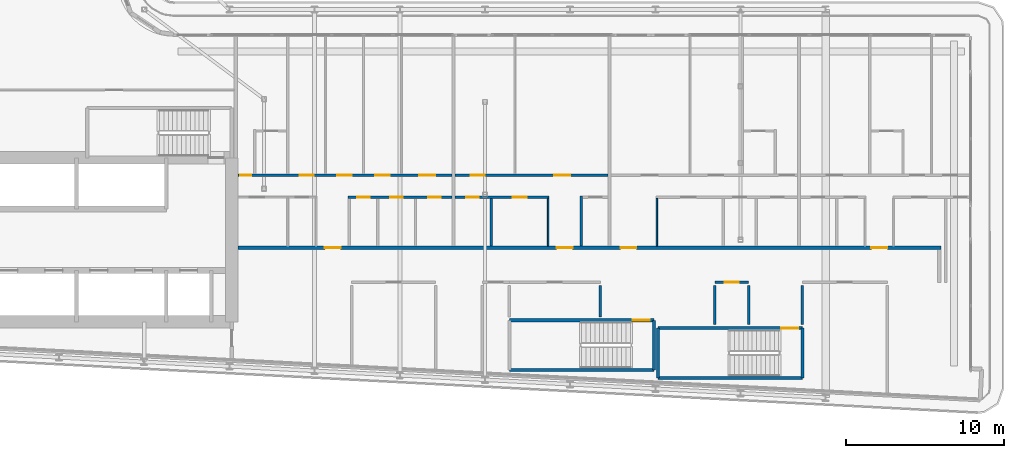
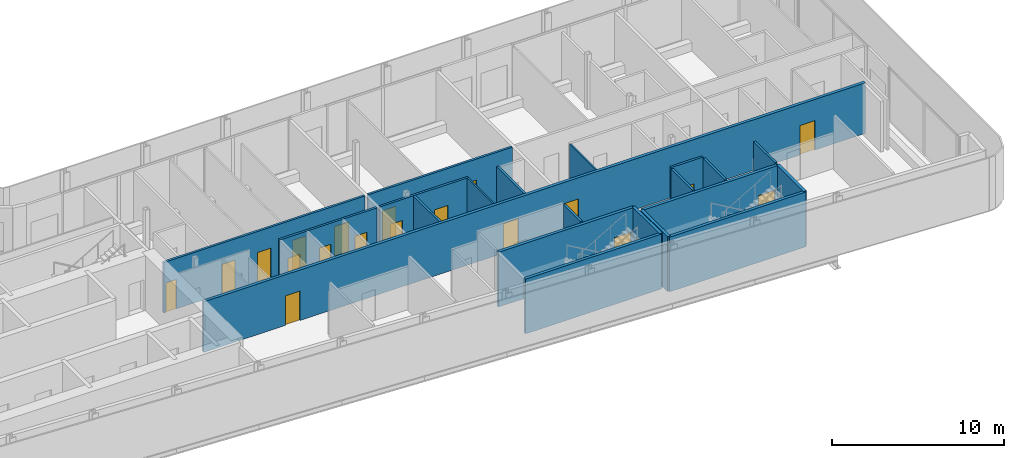
# One storey, part 18 of 30: 21 walls, 19 doors, 19 openings.
"""IFC4 building model written with IfcOpenShell, lengths in metres."""

from ifc_helpers import new_model, si_unit, direction, frame, frame_2d, origin, place, context, subcontext, project, spatial, rectangle, extrude, source, transform, mapped, material, layer, layer_set, type_object, element, fill, save


model = new_model("IFC4")

# Units and contexts
model_context = context("Model", 3, precision=1e-05, world=origin(), true_north=direction((0.0, 1.0)))
body_context = subcontext(model_context, "Body", "Model", "MODEL_VIEW")
ifc_project = project(units=[si_unit("LENGTHUNIT", "METRE"), si_unit("AREAUNIT", "SQUARE_METRE"), si_unit("VOLUMEUNIT", "CUBIC_METRE"), si_unit("PLANEANGLEUNIT", "RADIAN"), si_unit("MASSUNIT", "GRAM", prefix="KILO")], contexts=[model_context])

# Site, building, storey
site_placement = place(None, origin())
site = spatial("IfcSite", under=ifc_project, at=site_placement, CompositionType="ELEMENT")
building_placement = place(site_placement, origin())
building = spatial("IfcBuilding", under=site, at=building_placement, Name="Kheshtan School and Residences Tower", CompositionType="ELEMENT")
storey_placement = place(building_placement, frame((0.0, 0.0, 199.39990234375)))
storey = spatial("IfcBuildingStorey", under=building, at=storey_placement, Name="L47", CompositionType="ELEMENT", Elevation=199.39990234375)

# Wall, openings, doors
ifc_material_1 = material(Name="Gypsum board on steel studs with fire boards", Category="steel")
ifc_layer_1 = layer(ifc_material_1, 0.199951171875)
ifc_layer_set_1 = layer_set([ifc_layer_1], Name="Corridor wall 200")
wall_type_1 = type_object("IfcWallType", Name="Corridor wall 200", PredefinedType="PARTITIONING", material=ifc_layer_set_1)
wall_1_placement = place(storey_placement, frame((53.549072265625, 30.5, 0.0), z_axis=(0.0, 0.0, 1.0), x_axis=(1.0, 0.0, 0.0)))
wall_1 = element("IfcWall", 1, at=wall_1_placement, inside=storey, type_object=wall_type_1, Name="Partition L47-034", PredefinedType="PARTITIONING", context=body_context, shape_type="SweptSolid", body=[
    extrude(rectangle(XDim=44.551025390625, YDim=0.199951171875, at=frame_2d((22.275390625, 0.0))), origin(), (0.0, 0.0, 1.0), 3.60009765625),
])
opening_1_placement = place(wall_1_placement, frame((5.5009765625, 0.0, 0.0)))
opening_1 = element("IfcOpeningElement", 2, at=opening_1_placement, cuts=wall_1, Name="Opening D46-006", PredefinedType="OPENING", context=body_context, shape_type="SweptSolid", body=[
    extrude(rectangle(XDim=1.0, YDim=2.10009765625, at=frame_2d((0.5, 1.050048828125))), frame((0.0, 0.10986328125, 0.0), z_axis=(0.0, -1.0, 0.0), x_axis=(1.0, 0.0, 0.0)), (0.0, 0.0, 1.0), 0.219970703125),
])
opening_2_placement = place(wall_1_placement, frame((20.200927734375, 0.0, 0.0)))
opening_2 = element("IfcOpeningElement", 3, at=opening_2_placement, cuts=wall_1, Name="Opening D46-015", PredefinedType="OPENING", context=body_context, shape_type="SweptSolid", body=[
    extrude(rectangle(XDim=1.0, YDim=2.10009765625, at=frame_2d((0.5, 1.050048828125))), frame((0.0, 0.10986328125, 0.0), z_axis=(0.0, -1.0, 0.0), x_axis=(1.0, 0.0, 0.0)), (0.0, 0.0, 1.0), 0.219970703125),
])
opening_3_placement = place(wall_1_placement, frame((24.2509765625, 0.0, 0.0)))
opening_3 = element("IfcOpeningElement", 4, at=opening_3_placement, cuts=wall_1, Name="Opening D46-022", PredefinedType="OPENING", context=body_context, shape_type="SweptSolid", body=[
    extrude(rectangle(XDim=1.0, YDim=2.10009765625, at=frame_2d((0.5, 1.050048828125))), frame((0.0, 0.10986328125, 0.0), z_axis=(0.0, -1.0, 0.0), x_axis=(1.0, 0.0, 0.0)), (0.0, 0.0, 1.0), 0.219970703125),
])
opening_4_placement = place(wall_1_placement, frame((40.15087890625, 0.0, 0.0)))
opening_4 = element("IfcOpeningElement", 5, at=opening_4_placement, cuts=wall_1, Name="Opening D46-030", PredefinedType="OPENING", context=body_context, shape_type="SweptSolid", body=[
    extrude(rectangle(XDim=1.0, YDim=2.10009765625, at=frame_2d((0.5, 1.050048828125))), frame((0.0, 0.10986328125, 0.0), z_axis=(0.0, -1.0, 0.0), x_axis=(1.0, 0.0, 0.0)), (0.0, 0.0, 1.0), 0.219970703125),
])
ifc_material_2 = material(Name="Steel-framed fire-resisting door leaf", Category="steel")
door_type_1 = type_object("IfcDoorType", Name="Fire door FD30S 1000 x 2100", OperationType="SINGLE_SWING_LEFT", PredefinedType="DOOR", material=ifc_material_2)
shared_shape_1 = source(origin(), body_context, "Body", "SweptSolid", [
    extrude(rectangle(XDim=1.0, YDim=2.10009765625, at=frame_2d((0.5, 1.050048828125))), frame((0.0, 0.02490234375, 0.0), z_axis=(0.0, -1.0, 0.0), x_axis=(1.0, 0.0, 0.0)), (0.0, 0.0, 1.0), 0.050048828125),
])
door_1_placement = place(opening_1_placement, origin())
door_1 = element("IfcDoor", 6, at=door_1_placement, inside=storey, type_object=door_type_1, Name="Door D46-006", OperationType="SINGLE_SWING_LEFT", OverallHeight=2.10009765625, OverallWidth=1.0, PredefinedType="DOOR", context=body_context, shape_type="MappedRepresentation", body=[
    mapped(shared_shape_1, transform((0.0, 0.0, 0.0), x_axis=(1.0, 0.0, 0.0), y_axis=(0.0, 1.0, 0.0), z_axis=(0.0, 0.0, 1.0), scale=1.0)),
])
fill(opening_1, door_1)
door_2_placement = place(opening_2_placement, origin())
door_2 = element("IfcDoor", 7, at=door_2_placement, inside=storey, type_object=door_type_1, Name="Door D46-015", OperationType="SINGLE_SWING_RIGHT", OverallHeight=2.10009765625, OverallWidth=1.0, PredefinedType="DOOR", context=body_context, shape_type="MappedRepresentation", body=[
    mapped(shared_shape_1, transform((0.0, 0.0, 0.0), x_axis=(1.0, 0.0, 0.0), y_axis=(0.0, 1.0, 0.0), z_axis=(0.0, 0.0, 1.0), scale=1.0)),
])
fill(opening_2, door_2)
door_3_placement = place(opening_3_placement, origin())
door_3 = element("IfcDoor", 8, at=door_3_placement, inside=storey, type_object=door_type_1, Name="Door D46-022", OperationType="SINGLE_SWING_LEFT", OverallHeight=2.10009765625, OverallWidth=1.0, PredefinedType="DOOR", context=body_context, shape_type="MappedRepresentation", body=[
    mapped(shared_shape_1, transform((0.0, 0.0, 0.0), x_axis=(1.0, 0.0, 0.0), y_axis=(0.0, 1.0, 0.0), z_axis=(0.0, 0.0, 1.0), scale=1.0)),
])
fill(opening_3, door_3)
door_4_placement = place(opening_4_placement, origin())
door_4 = element("IfcDoor", 9, at=door_4_placement, inside=storey, type_object=door_type_1, Name="Door D46-030", OperationType="SINGLE_SWING_RIGHT", OverallHeight=2.10009765625, OverallWidth=1.0, PredefinedType="DOOR", context=body_context, shape_type="MappedRepresentation", body=[
    mapped(shared_shape_1, transform((0.0, 0.0, 0.0), x_axis=(1.0, 0.0, 0.0), y_axis=(0.0, 1.0, 0.0), z_axis=(0.0, 0.0, 1.0), scale=1.0)),
])
fill(opening_4, door_4)

# Walls
ifc_material_3 = material(Name="Gypsum board on steel studs", Category="steel")
ifc_layer_2 = layer(ifc_material_3, 0.10009765625)
ifc_layer_set_2 = layer_set([ifc_layer_2], Name="Gypsum partition 100")
wall_type_2 = type_object("IfcWallType", Name="Gypsum partition 100", PredefinedType="PARTITIONING", material=ifc_layer_set_2)
for number, where, z_axis, x_axis, name in (
    (10, (73.199951171875, 30.60009765625, 0.0), (0.0, 0.0, 1.0), (0.0, 1.0, 0.0), "Partition L47-054"),
    (11, (80.10009765625, 30.60009765625, 0.0), (0.0, 0.0, 1.0), (0.0, 1.0, 0.0), "Partition L47-060"),
):
    element("IfcWall", number, at=place(storey_placement, frame(where, z_axis=z_axis, x_axis=x_axis)), inside=storey, type_object=wall_type_2, Name=name, PredefinedType="PARTITIONING", context=body_context, shape_type="SweptSolid", body=[
        extrude(rectangle(XDim=3.02490234375, YDim=0.10009765625, at=frame_2d((1.512451171875, 0.0))), origin(), (0.0, 0.0, 1.0), 3.60009765625),
    ])
ifc_material_4 = material(Name="Fire-board shaft wall system")
ifc_layer_3 = layer(ifc_material_4, 0.14990234375)
ifc_layer_set_3 = layer_set([ifc_layer_3], Name="Service room wall 150")
wall_type_3 = type_object("IfcWallType", Name="Service room wall 150", PredefinedType="PARTITIONING", material=ifc_layer_set_3)
wall_2_placement = place(storey_placement, frame((76.510009765625, 26.1201171875, 0.0), z_axis=(0.0, 0.0, 1.0), x_axis=(0.0, 1.0, 0.0)))
element("IfcWall", 12, at=wall_2_placement, inside=storey, type_object=wall_type_3, Name="Service room wall", PredefinedType="PARTITIONING", context=body_context, shape_type="SweptSolid", body=[
    extrude(rectangle(XDim=1.98486328125, YDim=0.14990234375, at=frame_2d((0.992431640625, 0.0))), origin(), (0.0, 0.0, 1.0), 3.900146484375),
])

# Wall, opening, door
wall_3_placement = place(storey_placement, frame((83.77490234375, 28.300048828125, 0.0), z_axis=(0.0, 0.0, 1.0), x_axis=(1.0, 0.0, 0.0)))
wall_3 = element("IfcWall", 13, at=wall_3_placement, inside=storey, type_object=wall_type_3, Name="Service room wall", PredefinedType="PARTITIONING", context=body_context, shape_type="SweptSolid", body=[
    extrude(rectangle(XDim=2.14501953125, YDim=0.14990234375, at=frame_2d((1.072509765625, 0.0))), origin(), (0.0, 0.0, 1.0), 3.900146484375),
])
opening_5_placement = place(wall_3_placement, frame((0.623046875, 0.0, 0.0)))
opening_5 = element("IfcOpeningElement", 14, at=opening_5_placement, cuts=wall_3, Name="Opening SR90", PredefinedType="OPENING", context=body_context, shape_type="SweptSolid", body=[
    extrude(rectangle(XDim=0.89990234375, YDim=2.199951171875, at=frame_2d((0.449951171875, 1.10009765625))), frame((0.0, 0.0849609375, 0.0), z_axis=(0.0, -1.0, 0.0), x_axis=(1.0, 0.0, 0.0)), (0.0, 0.0, 1.0), 0.169921875),
])
ifc_material_5 = material(Name="Steel door leaf, galvanised", Category="steel")
door_type_2 = type_object("IfcDoorType", Name="Service room door 900 steel 90 min", OperationType="SINGLE_SWING_LEFT", PredefinedType="DOOR", material=ifc_material_5)
shared_shape_2 = source(origin(), body_context, "Body", "SweptSolid", [
    extrude(rectangle(XDim=0.89990234375, YDim=2.199951171875, at=frame_2d((0.449951171875, 1.10009765625))), frame((0.0, 0.02490234375, 0.0), z_axis=(0.0, -1.0, 0.0), x_axis=(1.0, 0.0, 0.0)), (0.0, 0.0, 1.0), 0.050048828125),
])
door_5_placement = place(opening_5_placement, origin())
door_5 = element("IfcDoor", 15, at=door_5_placement, inside=storey, type_object=door_type_2, Name="Service room door", OperationType="SINGLE_SWING_LEFT", OverallHeight=2.199951171875, OverallWidth=0.89990234375, PredefinedType="DOOR", context=body_context, shape_type="MappedRepresentation", body=[
    mapped(shared_shape_2, transform((0.0, 0.0, 0.0), x_axis=(1.0, 0.0, 0.0), y_axis=(0.0, 1.0, 0.0), z_axis=(0.0, 0.0, 1.0), scale=1.0)),
])
fill(opening_5, door_5)

# Walls
for number, where, z_axis, x_axis, name in (
    (16, (83.77490234375, 25.6201171875, 0.0), (0.0, 0.0, 1.0), (0.0, 1.0, 0.0), "Service room wall"),
    (17, (85.919921875, 25.6201171875, 0.0), (0.0, 0.0, 1.0), (0.0, 1.0, 0.0), "Service room wall"),
    (18, (89.320068359375, 25.6201171875, 0.0), (0.0, 0.0, 1.0), (0.0, 1.0, 0.0), "Service room wall"),
):
    element("IfcWall", number, at=place(storey_placement, frame(where, z_axis=z_axis, x_axis=x_axis)), inside=storey, type_object=wall_type_3, Name=name, PredefinedType="PARTITIONING", context=body_context, shape_type="SweptSolid", body=[
        extrude(rectangle(XDim=2.48486328125, YDim=0.14990234375, at=frame_2d((1.242431640625, 0.0))), origin(), (0.0, 0.0, 1.0), 3.900146484375),
    ])
ifc_material_6 = material(Name="Concrete C40/50", Category="concrete")
ifc_layer_4 = layer(ifc_material_6, 0.199951171875)
ifc_layer_set_4 = layer_set([ifc_layer_4], Name="Stair enclosure wall 200 Concrete C40/50")
wall_type_4 = type_object("IfcWallType", Name="Stair enclosure wall 200 Concrete C40/50", PredefinedType="SHEAR", material=ifc_layer_set_4)
wall_4_placement = place(storey_placement, frame((80.159912109375, 22.25, 0.0), z_axis=(0.0, 0.0, 1.0), x_axis=(1.0, 0.0, 0.0)))
element("IfcWall", 19, at=wall_4_placement, inside=storey, type_object=wall_type_4, Name="Stair enclosure wall ST4", PredefinedType="SHEAR", context=body_context, shape_type="SweptSolid", body=[
    extrude(rectangle(XDim=9.16015625, YDim=0.199951171875, at=frame_2d((4.580078125, 0.0))), origin(), (0.0, 0.0, 1.0), 3.900146484375),
])

# Wall, opening, door
wall_5_placement = place(storey_placement, frame((80.159912109375, 25.39990234375, 0.0), z_axis=(0.0, 0.0, 1.0), x_axis=(1.0, 0.0, 0.0)))
wall_5 = element("IfcWall", 20, at=wall_5_placement, inside=storey, type_object=wall_type_4, Name="Stair enclosure wall ST4", PredefinedType="SHEAR", context=body_context, shape_type="SweptSolid", body=[
    extrude(rectangle(XDim=9.16015625, YDim=0.199951171875, at=frame_2d((4.580078125, 0.0))), origin(), (0.0, 0.0, 1.0), 3.900146484375),
])
opening_6_placement = place(wall_5_placement, frame((7.81005859375, 0.0, 0.0)))
opening_6 = element("IfcOpeningElement", 21, at=opening_6_placement, cuts=wall_5, Name="Opening ST4D", PredefinedType="OPENING", context=body_context, shape_type="SweptSolid", body=[
    extrude(rectangle(XDim=1.10009765625, YDim=2.199951171875, at=frame_2d((0.550048828125, 1.10009765625))), frame((0.0, 0.10986328125, 0.0), z_axis=(0.0, -1.0, 0.0), x_axis=(1.0, 0.0, 0.0)), (0.0, 0.0, 1.0), 0.219970703125),
])
door_type_3 = type_object("IfcDoorType", Name="Stair door 1100 steel 90 min", OperationType="SINGLE_SWING_LEFT", PredefinedType="DOOR", material=ifc_material_5)
shared_shape_3 = source(origin(), body_context, "Body", "SweptSolid", [
    extrude(rectangle(XDim=1.10009765625, YDim=2.199951171875, at=frame_2d((0.550048828125, 1.10009765625))), frame((0.0, 0.02490234375, 0.0), z_axis=(0.0, -1.0, 0.0), x_axis=(1.0, 0.0, 0.0)), (0.0, 0.0, 1.0), 0.050048828125),
])
door_6_placement = place(opening_6_placement, origin())
door_6 = element("IfcDoor", 22, at=door_6_placement, inside=storey, type_object=door_type_3, Name="Stair ST4 door", OperationType="SINGLE_SWING_LEFT", OverallHeight=2.199951171875, OverallWidth=1.10009765625, PredefinedType="DOOR", context=body_context, shape_type="MappedRepresentation", body=[
    mapped(shared_shape_3, transform((0.0, 0.0, 0.0), x_axis=(1.0, 0.0, 0.0), y_axis=(0.0, 1.0, 0.0), z_axis=(0.0, 0.0, 1.0), scale=1.0)),
])
fill(opening_6, door_6)

# Walls
for number, where, z_axis, x_axis, name in (
    (23, (80.159912109375, 22.25, 0.0), (0.0, 0.0, 1.0), (0.0, 1.0, 0.0), "Stair enclosure wall ST4"),
    (24, (89.320068359375, 22.25, 0.0), (0.0, 0.0, 1.0), (0.0, 1.0, 0.0), "Stair enclosure wall ST4"),
):
    element("IfcWall", number, at=place(storey_placement, frame(where, z_axis=z_axis, x_axis=x_axis)), inside=storey, type_object=wall_type_4, Name=name, PredefinedType="SHEAR", context=body_context, shape_type="SweptSolid", body=[
        extrude(rectangle(XDim=3.14990234375, YDim=0.199951171875, at=frame_2d((1.574951171875, 0.0))), origin(), (0.0, 0.0, 1.0), 3.900146484375),
    ])
wall_6_placement = place(storey_placement, frame((70.75, 22.75, 0.0), z_axis=(0.0, 0.0, 1.0), x_axis=(1.0, 0.0, 0.0)))
element("IfcWall", 25, at=wall_6_placement, inside=storey, type_object=wall_type_4, Name="Stair enclosure wall ST5", PredefinedType="SHEAR", context=body_context, shape_type="SweptSolid", body=[
    extrude(rectangle(XDim=9.159912109375, YDim=0.199951171875, at=frame_2d((4.580078125, 0.0))), origin(), (0.0, 0.0, 1.0), 3.900146484375),
])

# Wall, opening, door
wall_7_placement = place(storey_placement, frame((70.75, 25.89990234375, 0.0), z_axis=(0.0, 0.0, 1.0), x_axis=(1.0, 0.0, 0.0)))
wall_7 = element("IfcWall", 26, at=wall_7_placement, inside=storey, type_object=wall_type_4, Name="Stair enclosure wall ST5", PredefinedType="SHEAR", context=body_context, shape_type="SweptSolid", body=[
    extrude(rectangle(XDim=9.159912109375, YDim=0.199951171875, at=frame_2d((4.580078125, 0.0))), origin(), (0.0, 0.0, 1.0), 3.900146484375),
])
opening_7_placement = place(wall_7_placement, frame((7.81005859375, 0.0, 0.0)))
opening_7 = element("IfcOpeningElement", 27, at=opening_7_placement, cuts=wall_7, Name="Opening ST5D", PredefinedType="OPENING", context=body_context, shape_type="SweptSolid", body=[
    extrude(rectangle(XDim=1.10009765625, YDim=2.199951171875, at=frame_2d((0.550048828125, 1.10009765625))), frame((0.0, 0.10986328125, 0.0), z_axis=(0.0, -1.0, 0.0), x_axis=(1.0, 0.0, 0.0)), (0.0, 0.0, 1.0), 0.219970703125),
])
door_7_placement = place(opening_7_placement, origin())
door_7 = element("IfcDoor", 28, at=door_7_placement, inside=storey, type_object=door_type_3, Name="Stair ST5 door", OperationType="SINGLE_SWING_LEFT", OverallHeight=2.199951171875, OverallWidth=1.10009765625, PredefinedType="DOOR", context=body_context, shape_type="MappedRepresentation", body=[
    mapped(shared_shape_3, transform((0.0, 0.0, 0.0), x_axis=(1.0, 0.0, 0.0), y_axis=(0.0, 1.0, 0.0), z_axis=(0.0, 0.0, 1.0), scale=1.0)),
])
fill(opening_7, door_7)

# Wall
wall_8_placement = place(storey_placement, frame((79.909912109375, 22.75, 0.0), z_axis=(0.0, 0.0, 1.0), x_axis=(0.0, 1.0, 0.0)))
element("IfcWall", 29, at=wall_8_placement, inside=storey, type_object=wall_type_4, Name="Stair enclosure wall ST5", PredefinedType="SHEAR", context=body_context, shape_type="SweptSolid", body=[
    extrude(rectangle(XDim=3.14990234375, YDim=0.199951171875, at=frame_2d((1.574951171875, 0.0))), origin(), (0.0, 0.0, 1.0), 3.900146484375),
])

# Wall, openings, doors
ifc_material_7 = material(Name="Moisture-resistant gypsum board on steel studs", Category="steel")
ifc_layer_5 = layer(ifc_material_7, 0.14990234375)
ifc_layer_set_5 = layer_set([ifc_layer_5], Name="Wet-room partition 150")
wall_type_5 = type_object("IfcWallType", Name="Wet-room partition 150", PredefinedType="PARTITIONING", material=ifc_layer_set_5)
wall_9_placement = place(storey_placement, frame((53.549072265625, 35.10009765625, 0.0), z_axis=(0.0, 0.0, 1.0), x_axis=(1.0, 0.0, 0.0)))
wall_9 = element("IfcWall", 30, at=wall_9_placement, inside=storey, type_object=wall_type_5, Name="Partition L47-036", PredefinedType="PARTITIONING", context=body_context, shape_type="SweptSolid", body=[
    extrude(rectangle(XDim=13.551025390625, YDim=0.14990234375, at=frame_2d((6.775390625, 0.0))), origin(), (0.0, 0.0, 1.0), 3.60009765625),
])
opening_8_placement = place(wall_9_placement, frame((3.90087890625, 0.0, 0.0)))
opening_8 = element("IfcOpeningElement", 31, at=opening_8_placement, cuts=wall_9, Name="Opening D46-003", PredefinedType="OPENING", context=body_context, shape_type="SweptSolid", body=[
    extrude(rectangle(XDim=0.89990234375, YDim=2.10009765625, at=frame_2d((0.449951171875, 1.050048828125))), frame((0.0, 0.0849609375, 0.0), z_axis=(0.0, -1.0, 0.0), x_axis=(1.0, 0.0, 0.0)), (0.0, 0.0, 1.0), 0.169921875),
])
opening_9_placement = place(wall_9_placement, frame((8.700927734375, 0.0, 0.0)))
opening_9 = element("IfcOpeningElement", 32, at=opening_9_placement, cuts=wall_9, Name="Opening D46-004", PredefinedType="OPENING", context=body_context, shape_type="SweptSolid", body=[
    extrude(rectangle(XDim=0.89990234375, YDim=2.10009765625, at=frame_2d((0.449951171875, 1.050048828125))), frame((0.0, 0.0849609375, 0.0), z_axis=(0.0, -1.0, 0.0), x_axis=(1.0, 0.0, 0.0)), (0.0, 0.0, 1.0), 0.169921875),
])
opening_10_placement = place(wall_9_placement, frame((11.5009765625, 0.0, 0.0)))
opening_10 = element("IfcOpeningElement", 33, at=opening_10_placement, cuts=wall_9, Name="Opening D46-008", PredefinedType="OPENING", context=body_context, shape_type="SweptSolid", body=[
    extrude(rectangle(XDim=1.0, YDim=2.10009765625, at=frame_2d((0.5, 1.050048828125))), frame((0.0, 0.0849609375, 0.0), z_axis=(0.0, -1.0, 0.0), x_axis=(1.0, 0.0, 0.0)), (0.0, 0.0, 1.0), 0.169921875),
])
opening_11_placement = place(wall_9_placement, frame((6.301025390625, 0.0, 0.0)))
opening_11 = element("IfcOpeningElement", 34, at=opening_11_placement, cuts=wall_9, Name="Opening D46-009", PredefinedType="OPENING", context=body_context, shape_type="SweptSolid", body=[
    extrude(rectangle(XDim=0.89990234375, YDim=2.10009765625, at=frame_2d((0.449951171875, 1.050048828125))), frame((0.0, 0.0849609375, 0.0), z_axis=(0.0, -1.0, 0.0), x_axis=(1.0, 0.0, 0.0)), (0.0, 0.0, 1.0), 0.169921875),
])
opening_12_placement = place(wall_9_placement, frame((0.14990234375, 0.0, 0.0)))
opening_12 = element("IfcOpeningElement", 35, at=opening_12_placement, cuts=wall_9, Name="Opening D46-010", PredefinedType="OPENING", context=body_context, shape_type="SweptSolid", body=[
    extrude(rectangle(XDim=0.699951171875, YDim=2.10009765625, at=frame_2d((0.35009765625, 1.050048828125))), frame((0.0, 0.0849609375, 0.0), z_axis=(0.0, -1.0, 0.0), x_axis=(1.0, 0.0, 0.0)), (0.0, 0.0, 1.0), 0.169921875),
])
ifc_material_8 = material(Name="Veneered timber door leaf", Category="wood")
door_type_4 = type_object("IfcDoorType", Name="Door 1000 x 2100", OperationType="SINGLE_SWING_LEFT", PredefinedType="DOOR", material=ifc_material_8)
shared_shape_4 = source(origin(), body_context, "Body", "SweptSolid", [
    extrude(rectangle(XDim=1.0, YDim=2.10009765625, at=frame_2d((0.5, 1.050048828125))), frame((0.0, 0.02490234375, 0.0), z_axis=(0.0, -1.0, 0.0), x_axis=(1.0, 0.0, 0.0)), (0.0, 0.0, 1.0), 0.050048828125),
])
door_8_placement = place(opening_10_placement, origin())
door_8 = element("IfcDoor", 36, at=door_8_placement, inside=storey, type_object=door_type_4, Name="Door D46-008", OperationType="SINGLE_SWING_LEFT", OverallHeight=2.10009765625, OverallWidth=1.0, PredefinedType="DOOR", context=body_context, shape_type="MappedRepresentation", body=[
    mapped(shared_shape_4, transform((0.0, 0.0, 0.0), x_axis=(1.0, 0.0, 0.0), y_axis=(0.0, 1.0, 0.0), z_axis=(0.0, 0.0, 1.0), scale=1.0)),
])
fill(opening_10, door_8)
door_type_5 = type_object("IfcDoorType", Name="Door 900 x 2100", OperationType="SINGLE_SWING_LEFT", PredefinedType="DOOR", material=ifc_material_8)
shared_shape_5 = source(origin(), body_context, "Body", "SweptSolid", [
    extrude(rectangle(XDim=0.89990234375, YDim=2.10009765625, at=frame_2d((0.449951171875, 1.050048828125))), frame((0.0, 0.02490234375, 0.0), z_axis=(0.0, -1.0, 0.0), x_axis=(1.0, 0.0, 0.0)), (0.0, 0.0, 1.0), 0.050048828125),
])
door_9_placement = place(opening_8_placement, origin())
door_9 = element("IfcDoor", 37, at=door_9_placement, inside=storey, type_object=door_type_5, Name="Door D46-003", OperationType="SINGLE_SWING_LEFT", OverallHeight=2.10009765625, OverallWidth=0.89990234375, PredefinedType="DOOR", context=body_context, shape_type="MappedRepresentation", body=[
    mapped(shared_shape_5, transform((0.0, 0.0, 0.0), x_axis=(1.0, 0.0, 0.0), y_axis=(0.0, 1.0, 0.0), z_axis=(0.0, 0.0, 1.0), scale=1.0)),
])
fill(opening_8, door_9)
door_10_placement = place(opening_9_placement, origin())
door_10 = element("IfcDoor", 38, at=door_10_placement, inside=storey, type_object=door_type_5, Name="Door D46-004", OperationType="SINGLE_SWING_LEFT", OverallHeight=2.10009765625, OverallWidth=0.89990234375, PredefinedType="DOOR", context=body_context, shape_type="MappedRepresentation", body=[
    mapped(shared_shape_5, transform((0.0, 0.0, 0.0), x_axis=(1.0, 0.0, 0.0), y_axis=(0.0, 1.0, 0.0), z_axis=(0.0, 0.0, 1.0), scale=1.0)),
])
fill(opening_9, door_10)
door_11_placement = place(opening_11_placement, origin())
door_11 = element("IfcDoor", 39, at=door_11_placement, inside=storey, type_object=door_type_5, Name="Door D46-009", OperationType="SINGLE_SWING_LEFT", OverallHeight=2.10009765625, OverallWidth=0.89990234375, PredefinedType="DOOR", context=body_context, shape_type="MappedRepresentation", body=[
    mapped(shared_shape_5, transform((0.0, 0.0, 0.0), x_axis=(1.0, 0.0, 0.0), y_axis=(0.0, 1.0, 0.0), z_axis=(0.0, 0.0, 1.0), scale=1.0)),
])
fill(opening_11, door_11)
door_type_6 = type_object("IfcDoorType", Name="Door 700 x 2100", OperationType="SINGLE_SWING_LEFT", PredefinedType="DOOR", material=ifc_material_8)
shared_shape_6 = source(origin(), body_context, "Body", "SweptSolid", [
    extrude(rectangle(XDim=0.699951171875, YDim=2.10009765625, at=frame_2d((0.35009765625, 1.050048828125))), frame((0.0, 0.02490234375, 0.0), z_axis=(0.0, -1.0, 0.0), x_axis=(1.0, 0.0, 0.0)), (0.0, 0.0, 1.0), 0.050048828125),
])
door_12_placement = place(opening_12_placement, origin())
door_12 = element("IfcDoor", 40, at=door_12_placement, inside=storey, type_object=door_type_6, Name="Door D46-010", OperationType="SINGLE_SWING_RIGHT", OverallHeight=2.10009765625, OverallWidth=0.699951171875, PredefinedType="DOOR", context=body_context, shape_type="MappedRepresentation", body=[
    mapped(shared_shape_6, transform((0.0, 0.0, 0.0), x_axis=(1.0, 0.0, 0.0), y_axis=(0.0, 1.0, 0.0), z_axis=(0.0, 0.0, 1.0), scale=1.0)),
])
fill(opening_12, door_12)

wall_10_placement = place(storey_placement, frame((60.52490234375, 33.699951171875, 0.0), z_axis=(0.0, 0.0, 1.0), x_axis=(1.0, 0.0, 0.0)))
wall_10 = element("IfcWall", 41, at=wall_10_placement, inside=storey, type_object=wall_type_5, Name="Partition L47-043", PredefinedType="PARTITIONING", context=body_context, shape_type="SweptSolid", body=[
    extrude(rectangle(XDim=6.5751953125, YDim=0.14990234375, at=frame_2d((3.28759765625, 0.0))), origin(), (0.0, 0.0, 1.0), 3.60009765625),
])
opening_13_placement = place(wall_10_placement, frame((2.675048828125, 0.0, 0.0)))
opening_13 = element("IfcOpeningElement", 42, at=opening_13_placement, cuts=wall_10, Name="Opening D46-001", PredefinedType="OPENING", context=body_context, shape_type="SweptSolid", body=[
    extrude(rectangle(XDim=0.800048828125, YDim=2.10009765625, at=frame_2d((0.39990234375, 1.050048828125))), frame((0.0, 0.0849609375, 0.0), z_axis=(0.0, -1.0, 0.0), x_axis=(1.0, 0.0, 0.0)), (0.0, 0.0, 1.0), 0.169921875),
])
opening_14_placement = place(wall_10_placement, frame((5.074951171875, 0.0, 0.0)))
opening_14 = element("IfcOpeningElement", 43, at=opening_14_placement, cuts=wall_10, Name="Opening D46-002", PredefinedType="OPENING", context=body_context, shape_type="SweptSolid", body=[
    extrude(rectangle(XDim=0.800048828125, YDim=2.10009765625, at=frame_2d((0.39990234375, 1.050048828125))), frame((0.0, 0.0849609375, 0.0), z_axis=(0.0, -1.0, 0.0), x_axis=(1.0, 0.0, 0.0)), (0.0, 0.0, 1.0), 0.169921875),
])
opening_15_placement = place(wall_10_placement, frame((0.574951171875, 0.0, 0.0)))
opening_15 = element("IfcOpeningElement", 44, at=opening_15_placement, cuts=wall_10, Name="Opening D46-012", PredefinedType="OPENING", context=body_context, shape_type="SweptSolid", body=[
    extrude(rectangle(XDim=0.800048828125, YDim=2.10009765625, at=frame_2d((0.39990234375, 1.050048828125))), frame((0.0, 0.0849609375, 0.0), z_axis=(0.0, -1.0, 0.0), x_axis=(1.0, 0.0, 0.0)), (0.0, 0.0, 1.0), 0.169921875),
])
door_type_7 = type_object("IfcDoorType", Name="Door 800 x 2100", OperationType="SINGLE_SWING_LEFT", PredefinedType="DOOR", material=ifc_material_8)
shared_shape_7 = source(origin(), body_context, "Body", "SweptSolid", [
    extrude(rectangle(XDim=0.800048828125, YDim=2.10009765625, at=frame_2d((0.39990234375, 1.050048828125))), frame((0.0, 0.02490234375, 0.0), z_axis=(0.0, -1.0, 0.0), x_axis=(1.0, 0.0, 0.0)), (0.0, 0.0, 1.0), 0.050048828125),
])
door_13_placement = place(opening_13_placement, origin())
door_13 = element("IfcDoor", 45, at=door_13_placement, inside=storey, type_object=door_type_7, Name="Door D46-001", OperationType="SINGLE_SWING_RIGHT", OverallHeight=2.10009765625, OverallWidth=0.800048828125, PredefinedType="DOOR", context=body_context, shape_type="MappedRepresentation", body=[
    mapped(shared_shape_7, transform((0.0, 0.0, 0.0), x_axis=(1.0, 0.0, 0.0), y_axis=(0.0, 1.0, 0.0), z_axis=(0.0, 0.0, 1.0), scale=1.0)),
])
fill(opening_13, door_13)
door_14_placement = place(opening_14_placement, origin())
door_14 = element("IfcDoor", 46, at=door_14_placement, inside=storey, type_object=door_type_7, Name="Door D46-002", OperationType="SINGLE_SWING_RIGHT", OverallHeight=2.10009765625, OverallWidth=0.800048828125, PredefinedType="DOOR", context=body_context, shape_type="MappedRepresentation", body=[
    mapped(shared_shape_7, transform((0.0, 0.0, 0.0), x_axis=(1.0, 0.0, 0.0), y_axis=(0.0, 1.0, 0.0), z_axis=(0.0, 0.0, 1.0), scale=1.0)),
])
fill(opening_14, door_14)
door_15_placement = place(opening_15_placement, origin())
door_15 = element("IfcDoor", 47, at=door_15_placement, inside=storey, type_object=door_type_7, Name="Door D46-012", OperationType="SINGLE_SWING_LEFT", OverallHeight=2.10009765625, OverallWidth=0.800048828125, PredefinedType="DOOR", context=body_context, shape_type="MappedRepresentation", body=[
    mapped(shared_shape_7, transform((0.0, 0.0, 0.0), x_axis=(1.0, 0.0, 0.0), y_axis=(0.0, 1.0, 0.0), z_axis=(0.0, 0.0, 1.0), scale=1.0)),
])
fill(opening_15, door_15)

wall_11_placement = place(storey_placement, frame((67.300048828125, 33.699951171875, 0.0), z_axis=(0.0, 0.0, 1.0), x_axis=(1.0, 0.0, 0.0)))
wall_11 = element("IfcWall", 48, at=wall_11_placement, inside=storey, type_object=wall_type_5, Name="Partition L47-050", PredefinedType="PARTITIONING", context=body_context, shape_type="SweptSolid", body=[
    extrude(rectangle(XDim=5.949951171875, YDim=0.14990234375, at=frame_2d((2.97509765625, 0.0))), origin(), (0.0, 0.0, 1.0), 3.60009765625),
])
opening_16_placement = place(wall_11_placement, frame((0.699951171875, 0.0, 0.0)))
opening_16 = element("IfcOpeningElement", 49, at=opening_16_placement, cuts=wall_11, Name="Opening D46-013", PredefinedType="OPENING", context=body_context, shape_type="SweptSolid", body=[
    extrude(rectangle(XDim=0.800048828125, YDim=2.10009765625, at=frame_2d((0.39990234375, 1.050048828125))), frame((0.0, 0.0849609375, 0.0), z_axis=(0.0, -1.0, 0.0), x_axis=(1.0, 0.0, 0.0)), (0.0, 0.0, 1.0), 0.169921875),
])
opening_17_placement = place(wall_11_placement, frame((3.64990234375, 0.0, 0.0)))
opening_17 = element("IfcOpeningElement", 50, at=opening_17_placement, cuts=wall_11, Name="Opening D46-016", PredefinedType="OPENING", context=body_context, shape_type="SweptSolid", body=[
    extrude(rectangle(XDim=0.89990234375, YDim=2.10009765625, at=frame_2d((0.449951171875, 1.050048828125))), frame((0.0, 0.0849609375, 0.0), z_axis=(0.0, -1.0, 0.0), x_axis=(1.0, 0.0, 0.0)), (0.0, 0.0, 1.0), 0.169921875),
])
door_16_placement = place(opening_16_placement, origin())
door_16 = element("IfcDoor", 51, at=door_16_placement, inside=storey, type_object=door_type_7, Name="Door D46-013", OperationType="SINGLE_SWING_RIGHT", OverallHeight=2.10009765625, OverallWidth=0.800048828125, PredefinedType="DOOR", context=body_context, shape_type="MappedRepresentation", body=[
    mapped(shared_shape_7, transform((0.0, 0.0, 0.0), x_axis=(1.0, 0.0, 0.0), y_axis=(0.0, 1.0, 0.0), z_axis=(0.0, 0.0, 1.0), scale=1.0)),
])
fill(opening_16, door_16)
door_17_placement = place(opening_17_placement, origin())
door_17 = element("IfcDoor", 52, at=door_17_placement, inside=storey, type_object=door_type_5, Name="Door D46-016", OperationType="SINGLE_SWING_LEFT", OverallHeight=2.10009765625, OverallWidth=0.89990234375, PredefinedType="DOOR", context=body_context, shape_type="MappedRepresentation", body=[
    mapped(shared_shape_5, transform((0.0, 0.0, 0.0), x_axis=(1.0, 0.0, 0.0), y_axis=(0.0, 1.0, 0.0), z_axis=(0.0, 0.0, 1.0), scale=1.0)),
])
fill(opening_17, door_17)

wall_12_placement = place(storey_placement, frame((67.300048828125, 35.10009765625, 0.0), z_axis=(0.0, 0.0, 1.0), x_axis=(1.0, 0.0, 0.0)))
wall_12 = element("IfcWall", 53, at=wall_12_placement, inside=storey, type_object=wall_type_5, Name="Partition L47-051", PredefinedType="PARTITIONING", context=body_context, shape_type="SweptSolid", body=[
    extrude(rectangle(XDim=9.699951171875, YDim=0.14990234375, at=frame_2d((4.85009765625, 0.0))), origin(), (0.0, 0.0, 1.0), 3.60009765625),
])
opening_18_placement = place(wall_12_placement, frame((1.0, 0.0, 0.0)))
opening_18 = element("IfcOpeningElement", 54, at=opening_18_placement, cuts=wall_12, Name="Opening D46-014", PredefinedType="OPENING", context=body_context, shape_type="SweptSolid", body=[
    extrude(rectangle(XDim=0.89990234375, YDim=2.10009765625, at=frame_2d((0.449951171875, 1.050048828125))), frame((0.0, 0.0849609375, 0.0), z_axis=(0.0, -1.0, 0.0), x_axis=(1.0, 0.0, 0.0)), (0.0, 0.0, 1.0), 0.169921875),
])
opening_19_placement = place(wall_12_placement, frame((6.300048828125, 0.0, 0.0)))
opening_19 = element("IfcOpeningElement", 55, at=opening_19_placement, cuts=wall_12, Name="Opening D46-017", PredefinedType="OPENING", context=body_context, shape_type="SweptSolid", body=[
    extrude(rectangle(XDim=1.0, YDim=2.10009765625, at=frame_2d((0.5, 1.050048828125))), frame((0.0, 0.0849609375, 0.0), z_axis=(0.0, -1.0, 0.0), x_axis=(1.0, 0.0, 0.0)), (0.0, 0.0, 1.0), 0.169921875),
])
door_18_placement = place(opening_19_placement, origin())
door_18 = element("IfcDoor", 56, at=door_18_placement, inside=storey, type_object=door_type_4, Name="Door D46-017", OperationType="SINGLE_SWING_RIGHT", OverallHeight=2.10009765625, OverallWidth=1.0, PredefinedType="DOOR", context=body_context, shape_type="MappedRepresentation", body=[
    mapped(shared_shape_4, transform((0.0, 0.0, 0.0), x_axis=(1.0, 0.0, 0.0), y_axis=(0.0, 1.0, 0.0), z_axis=(0.0, 0.0, 1.0), scale=1.0)),
])
fill(opening_19, door_18)
door_19_placement = place(opening_18_placement, origin())
door_19 = element("IfcDoor", 57, at=door_19_placement, inside=storey, type_object=door_type_5, Name="Door D46-014", OperationType="SINGLE_SWING_RIGHT", OverallHeight=2.10009765625, OverallWidth=0.89990234375, PredefinedType="DOOR", context=body_context, shape_type="MappedRepresentation", body=[
    mapped(shared_shape_5, transform((0.0, 0.0, 0.0), x_axis=(1.0, 0.0, 0.0), y_axis=(0.0, 1.0, 0.0), z_axis=(0.0, 0.0, 1.0), scale=1.0)),
])
fill(opening_18, door_19)

# Walls
wall_13_placement = place(storey_placement, frame((69.60009765625, 30.60009765625, 0.0), z_axis=(0.0, 0.0, 1.0), x_axis=(0.0, 1.0, 0.0)))
element("IfcWall", 58, at=wall_13_placement, inside=storey, type_object=wall_type_5, Name="Partition L47-052", PredefinedType="PARTITIONING", context=body_context, shape_type="SweptSolid", body=[
    extrude(rectangle(XDim=3.02490234375, YDim=0.14990234375, at=frame_2d((1.512451171875, 0.0))), origin(), (0.0, 0.0, 1.0), 3.60009765625),
])
wall_14_placement = place(storey_placement, frame((75.300048828125, 30.60009765625, 0.0), z_axis=(0.0, 0.0, 1.0), x_axis=(0.0, 1.0, 0.0)))
element("IfcWall", 59, at=wall_14_placement, inside=storey, type_object=wall_type_5, Name="Partition L47-055", PredefinedType="PARTITIONING", context=body_context, shape_type="SweptSolid", body=[
    extrude(rectangle(XDim=3.1748046875, YDim=0.14990234375, at=frame_2d((1.58740234375, 0.0))), origin(), (0.0, 0.0, 1.0), 3.60009765625),
])

save(model, "model.ifc")
